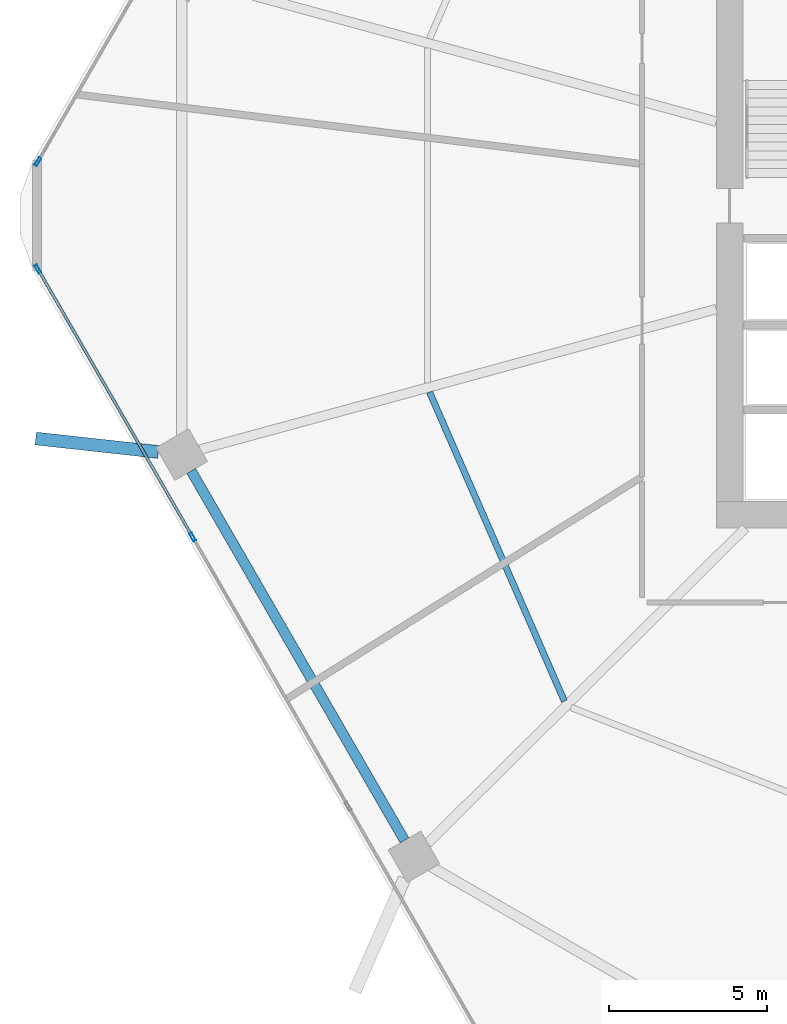
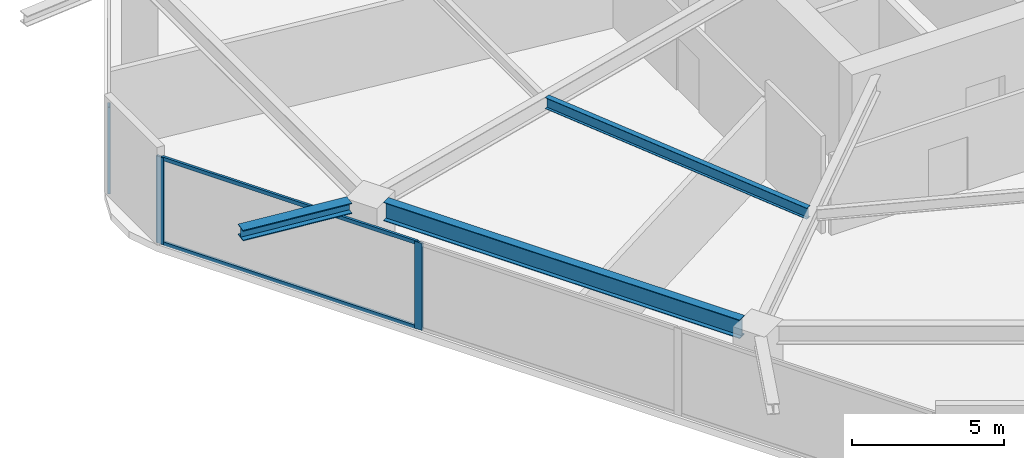
# One storey, part 5 of 25: 5 members, 3 beams, 2 elements without a shape of their own.
"""IFC4 building model written with IfcOpenShell, lengths in metres."""

import ifcopenshell
import ifcopenshell.guid

model = None  # the IFC model being written
_history = None  # IfcOwnerHistory: only IFC2X3 demands one
_inside = {}  # id of a spatial element -> (the spatial element, [elements in it])
_under = {}  # id of a project, library or spatial element -> (it, [spatial elements below it])
_declared = {}  # id of a project -> (the project, [libraries it declares])
_typed = {}  # id of a type object -> (the type object, [elements of that type])
_made_of = {}  # id of a material, layer set ... -> (it, [elements and type objects made of it])


def new_model(schema):
    """Start an empty IFC model of exactly this schema.

    Asked for "IFC4X3", IfcOpenShell would pick the latest addendum, in which some entities
    have other attributes; the version numbers below select the first issue.
    IFC2X3 requires an IfcOwnerHistory on every rooted entity: one is made here for all.
    """
    global model, _history
    if schema == "IFC4X3":
        model = ifcopenshell.file(schema_version=(4, 3, 0, 0))
    else:
        model = ifcopenshell.file(schema=schema)
    _inside.clear()
    _under.clear()
    _declared.clear()
    _typed.clear()
    _made_of.clear()
    _history = None
    if model.schema == "IFC2X3":
        org = make("IfcOrganization", Name="unknown")
        user = make(
            "IfcPersonAndOrganization",
            ThePerson=make("IfcPerson", FamilyName="unknown"),
            TheOrganization=org,
        )
        app = make(
            "IfcApplication",
            ApplicationDeveloper=org,
            Version="unknown",
            ApplicationFullName="unknown",
            ApplicationIdentifier="unknown",
        )
        _history = make(
            "IfcOwnerHistory",
            OwningUser=user,
            OwningApplication=app,
            ChangeAction="ADDED",
            CreationDate=0,
        )
    return model


def make(cls, **values):
    """One entity of the class cls with the attributes given. An attribute that is None is left unset."""
    return model.create_entity(
        cls, **{name: value for name, value in values.items() if value is not None}
    )


def rooted(cls, **values):
    """An entity with a GlobalId (a new one), such as an element, a storey or a relation."""
    return make(cls, GlobalId=ifcopenshell.guid.new(), OwnerHistory=_history, **values)


def si_unit(unit_type, name, prefix=None):
    """IfcSIUnit, for example si_unit("LENGTHUNIT", "METRE", prefix="MILLI")."""
    return make("IfcSIUnit", UnitType=unit_type, Prefix=prefix, Name=name)


def assignment(units):
    """IfcUnitAssignment: the units of a project."""
    return None if units is None else make("IfcUnitAssignment", Units=units)


def point(xyz):
    """IfcCartesianPoint."""
    return None if xyz is None else make("IfcCartesianPoint", Coordinates=xyz)


def direction(xyz):
    """IfcDirection."""
    return None if xyz is None else make("IfcDirection", DirectionRatios=xyz)


def frame(location, z_axis=None, x_axis=None):
    """IfcAxis2Placement3D, a coordinate frame: its origin and axes. An axis left out is left unset."""
    return make(
        "IfcAxis2Placement3D",
        Location=point(location),
        Axis=direction(z_axis),
        RefDirection=direction(x_axis),
    )


def frame_2d(location, x_axis=None):
    """IfcAxis2Placement2D, a coordinate frame in the plane: its origin and x axis."""
    return make(
        "IfcAxis2Placement2D", Location=point(location), RefDirection=direction(x_axis)
    )


def origin():
    """The frame at (0, 0, 0) with its axes left unset."""
    return frame((0.0, 0.0, 0.0))


def origin_2d():
    """The frame at (0, 0) in the plane with its x axis left unset."""
    return frame_2d((0.0, 0.0))


def place(relative_to, where):
    """IfcLocalPlacement: puts the frame where relative to a parent placement (None: the world)."""
    return make(
        "IfcLocalPlacement", PlacementRelTo=relative_to, RelativePlacement=where
    )


def context(
    kind, dimensions, precision=None, world=None, true_north=None, identifier=None
):
    """IfcGeometricRepresentationContext, for example the 3D "Model" context."""
    return make(
        "IfcGeometricRepresentationContext",
        ContextIdentifier=identifier,
        ContextType=kind,
        CoordinateSpaceDimension=dimensions,
        Precision=precision,
        WorldCoordinateSystem=world,
        TrueNorth=true_north,
    )


def subcontext(parent, identifier, kind, view, scale=None):
    """IfcGeometricRepresentationSubContext, for example "Body" below "Model"."""
    return make(
        "IfcGeometricRepresentationSubContext",
        ContextIdentifier=identifier,
        ContextType=kind,
        ParentContext=parent,
        TargetScale=scale,
        TargetView=view,
    )


def project(units=None, contexts=None):
    """IfcProject with its units and contexts."""
    return rooted(
        "IfcProject",
        Name="project",
        RepresentationContexts=contexts,
        UnitsInContext=assignment(units),
    )


def spatial(cls, under=None, at=None, **own):
    """A site, building, storey or space (cls), placed at a placement, below another one or the project."""
    s = rooted(cls, ObjectPlacement=at, **own)
    if under is not None:
        _under.setdefault(under.id(), (under, []))[1].append(s)
    return s


def profile(cls, at=None, kind="AREA", **sizes):
    """A parametric profile (cls). Its sizes go by their IFC names, for example OverallWidth=200.0."""
    return make(cls, ProfileType=kind, Position=at, **sizes)


def hollow_rectangle(**sizes):
    """IfcRectangleHollowProfileDef."""
    return profile("IfcRectangleHollowProfileDef", **sizes)


def i_section(**sizes):
    """IfcIShapeProfileDef."""
    return profile("IfcIShapeProfileDef", **sizes)


def extrude(swept, where, along, depth):
    """IfcExtrudedAreaSolid: the profile swept, set in the frame where, extruded along a direction by depth."""
    return make(
        "IfcExtrudedAreaSolid",
        SweptArea=swept,
        Position=where,
        ExtrudedDirection=direction(along),
        Depth=depth,
    )


def shape(context_of_items, identifier, shape_type, items):
    """IfcShapeRepresentation: the items that make up one representation, for example the "Body"."""
    return make(
        "IfcShapeRepresentation",
        ContextOfItems=context_of_items,
        RepresentationIdentifier=identifier,
        RepresentationType=shape_type,
        Items=items,
    )


def material(Name=None, Category=None):
    """IfcMaterial."""
    return make("IfcMaterial", Name=Name, Category=Category)


def material_profile(
    of_material, cross_section, Name=None, Category=None, Priority=None
):
    """IfcMaterialProfile: a cross section and its material."""
    return make(
        "IfcMaterialProfile",
        Name=Name,
        Material=of_material,
        Profile=cross_section,
        Priority=Priority,
        Category=Category,
    )


def profile_set(profiles, Name=None, composite=None):
    """IfcMaterialProfileSet."""
    return make(
        "IfcMaterialProfileSet",
        Name=Name,
        MaterialProfiles=profiles,
        CompositeProfile=composite,
    )


def made_of(thing, what):
    """Note that an element or type object is made of a material, layer set ...; save() writes the relation."""
    if what is not None:
        _made_of.setdefault(what.id(), (what, []))[1].append(thing)
    return thing


def type_object(cls, material=None, **own):
    """A type object (cls), such as IfcWallType, which elements share."""
    return made_of(rooted(cls, **own), material)


def element(
    cls,
    number,
    at=None,
    inside=None,
    cuts=None,
    type_object=None,
    material=None,
    context=None,
    identifier="Body",
    shape_type=None,
    held_by="IfcProductDefinitionShape",
    body=None,
    shapes=None,
    **own,
):
    """One element of the class cls, such as IfcWall. Its Tag is "e" and its number.

    at: its placement. inside: the storey or other place that contains it. cuts: it is an
    opening in that element (IfcRelVoidsElement). A single representation is given by context,
    identifier, shape_type and body (its items); several are given by shapes. held_by: the class
    of the entity that holds the representations. save() writes the other relations.
    """
    e = rooted(cls, Tag="e%d" % number, ObjectPlacement=at, **own)
    if body is not None:
        shapes = [shape(context, identifier, shape_type, body)]
    if shapes is not None:
        e.Representation = make(held_by, Representations=shapes)
    if inside is not None:
        _inside.setdefault(inside.id(), (inside, []))[1].append(e)
    if cuts is not None:
        rooted(
            "IfcRelVoidsElement", RelatingBuildingElement=cuts, RelatedOpeningElement=e
        )
    if type_object is not None:
        _typed.setdefault(type_object.id(), (type_object, []))[1].append(e)
    return made_of(e, material)


def aggregate(whole, parts):
    """IfcRelAggregates: a whole, such as a stair, and the parts it consists of."""
    return rooted("IfcRelAggregates", RelatingObject=whole, RelatedObjects=parts)


def save(model, path):
    """Write the relations noted so far, then the file.

    IfcRelAggregates (storeys below a building ...), IfcRelContainedInSpatialStructure (elements
    in a storey), IfcRelDefinesByType, IfcRelAssociatesMaterial and IfcRelDeclares: one each for
    every whole, place, type object, material and project.
    """
    for whole, parts in _under.values():
        aggregate(whole, parts)
    for where, things in _inside.values():
        rooted(
            "IfcRelContainedInSpatialStructure",
            RelatedElements=things,
            RelatingStructure=where,
        )
    for kind, things in _typed.values():
        rooted("IfcRelDefinesByType", RelatedObjects=things, RelatingType=kind)
    for what, things in _made_of.values():
        rooted("IfcRelAssociatesMaterial", RelatedObjects=things, RelatingMaterial=what)
    for by, libraries in _declared.values():
        rooted("IfcRelDeclares", RelatingContext=by, RelatedDefinitions=libraries)
    model.write(path)


model = new_model("IFC4")

# Units and contexts
model_context = context("Model", 3, precision=1e-05, world=origin(), true_north=direction((0.0, 1.0)))
body_context = subcontext(model_context, "Body", "Model", "MODEL_VIEW")
ifc_project = project(units=[si_unit("LENGTHUNIT", "METRE"), si_unit("AREAUNIT", "SQUARE_METRE"), si_unit("VOLUMEUNIT", "CUBIC_METRE"), si_unit("PLANEANGLEUNIT", "RADIAN"), si_unit("MASSUNIT", "GRAM", prefix="KILO")], contexts=[model_context])

# Site, building, storey
site_placement = place(None, origin())
site = spatial("IfcSite", under=ifc_project, at=site_placement, CompositionType="ELEMENT")
building_placement = place(site_placement, origin())
building = spatial("IfcBuilding", under=site, at=building_placement, Name="Zuhravey Tower", CompositionType="ELEMENT")
storey_placement = place(building_placement, frame((0.0, 0.0, 20.39990234375)))
storey = spatial("IfcBuildingStorey", under=building, at=storey_placement, Name="L05", CompositionType="ELEMENT", Elevation=20.39990234375)

# Curtain wall, members
ifc_material_1 = material(Name="Thermally broken anodised aluminium", Category="aluminium")
curtain_wall_type = type_object("IfcCurtainWallType", Name="School Low-E Unitised Curtain Wall CW1", PredefinedType="NOTDEFINED", material=ifc_material_1)
curtain_wall_1_placement = place(storey_placement, origin())
curtain_wall_1 = element("IfcCurtainWall", 1, at=curtain_wall_1_placement, inside=storey, type_object=curtain_wall_type, Name="L05 CW1 CW-L05-F4-1", PredefinedType="NOTDEFINED")
ifc_material_2 = material(Name="Anodised aluminium", Category="aluminium")
ifc_material_profile_1 = material_profile(ifc_material_2, hollow_rectangle(XDim=0.090087890625, YDim=0.284912109375, WallThickness=0.0048828125, at=origin_2d()), Name="ALU-RHS-90x285x5")
ifc_profile_set_1 = profile_set([ifc_material_profile_1], Name="Anodised aluminium")
member_type_1 = type_object("IfcMemberType", Name="Curtain-Wall Mullion 90x180", PredefinedType="MULLION", material=ifc_profile_set_1)
member_1_placement = place(storey_placement, frame((8.45458984375, 21.79296875, 0.0), z_axis=(0.0, 0.0, 1.0), x_axis=(-0.86602552265, -0.499999794119, 0.0)))
member_1 = element("IfcMember", 2, at=member_1_placement, type_object=member_type_1, Name="CW1 mullion 3", PredefinedType="MULLION", context=body_context, shape_type="SweptSolid", body=[
    extrude(hollow_rectangle(XDim=0.090087890625, YDim=0.284912109375, WallThickness=0.0048828125, at=origin_2d()), origin(), (0.0, 0.0, 1.0), 3.4921875),
])
member_2_placement = place(storey_placement, frame((3.5439453125, 30.298583984375, 0.0), z_axis=(0.0, 0.0, 1.0), x_axis=(-0.86602552265, -0.499999794119, 0.0)))
member_2 = element("IfcMember", 3, at=member_2_placement, type_object=member_type_1, Name="CW1 mullion 4", PredefinedType="MULLION", context=body_context, shape_type="SweptSolid", body=[
    extrude(hollow_rectangle(XDim=0.090087890625, YDim=0.284912109375, WallThickness=0.0048828125, at=origin_2d()), origin(), (0.0, 0.0, 1.0), 3.4921875),
])

# Curtain wall, member
curtain_wall_2_placement = place(storey_placement, origin())
curtain_wall_2 = element("IfcCurtainWall", 4, at=curtain_wall_2_placement, inside=storey, type_object=curtain_wall_type, Name="L05 CW1 CW-L05-F3-1", PredefinedType="NOTDEFINED")
member_3_placement = place(storey_placement, frame((3.5439453125, 33.701416015625, 0.0), z_axis=(0.0, 0.0, 1.0), x_axis=(-0.86602552265, 0.499999794119, 0.0)))
member_3 = element("IfcMember", 5, at=member_3_placement, type_object=member_type_1, Name="CW1 mullion 1", PredefinedType="MULLION", context=body_context, shape_type="SweptSolid", body=[
    extrude(hollow_rectangle(XDim=0.090087890625, YDim=0.284912109375, WallThickness=0.0048828125, at=origin_2d()), origin(), (0.0, 0.0, 1.0), 3.4921875),
])
aggregate(curtain_wall_2, [member_3])

# Member
ifc_material_profile_2 = material_profile(ifc_material_2, hollow_rectangle(XDim=0.090087890625, YDim=0.14990234375, WallThickness=0.0048828125, at=origin_2d()), Name="ALU-RHS-90x150x5")
ifc_profile_set_2 = profile_set([ifc_material_profile_2], Name="Anodised aluminium")
member_type_2 = type_object("IfcMemberType", Name="Curtain-Wall Transom 90x150", PredefinedType="USERDEFINED", material=ifc_profile_set_2)
member_4_placement = place(storey_placement, frame((8.43212890625, 21.83203125, 0.045166015625), z_axis=(-0.500008393077, 0.866020557985, 0.0), x_axis=(-0.866020557985, -0.500008393077, 0.0)))
member_4 = element("IfcMember", 6, at=member_4_placement, type_object=member_type_2, Name="CW1 transom 3.1", ObjectType="TRANSOM", PredefinedType="USERDEFINED", context=body_context, shape_type="SweptSolid", body=[
    extrude(hollow_rectangle(XDim=0.090087890625, YDim=0.14990234375, WallThickness=0.0048828125, at=origin_2d()), origin(), (0.0, 0.0, 1.0), 9.731201171875),
])

member_5_placement = place(storey_placement, frame((8.43212890625, 21.83203125, 3.447021484375), z_axis=(-0.500008393077, 0.866020557985, 0.0), x_axis=(-0.866020557985, -0.500008393077, 0.0)))
member_5 = element("IfcMember", 7, at=member_5_placement, type_object=member_type_2, Name="CW1 transom 3.2", ObjectType="TRANSOM", PredefinedType="USERDEFINED", context=body_context, shape_type="SweptSolid", body=[
    extrude(hollow_rectangle(XDim=0.090087890625, YDim=0.14990234375, WallThickness=0.0048828125, at=origin_2d()), origin(), (0.0, 0.0, 1.0), 9.731201171875),
])

aggregate(curtain_wall_1, [member_1, member_2, member_4, member_5])

# Beams
ifc_material_3 = material(Name="Steel SM460", Category="steel")
ifc_material_profile_3 = material_profile(ifc_material_3, i_section(OverallWidth=0.406982421875, OverallDepth=0.427978515625, WebThickness=0.02001953125, FlangeThickness=0.034912109375, at=origin_2d()), Name="H-428x407x20x35")
ifc_profile_set_3 = profile_set([ifc_material_profile_3], Name="Steel SM460")
beam_type_1 = type_object("IfcBeamType", Name="Exoskeleton Node Tie Beam H428x407", PredefinedType="BEAM", material=ifc_profile_set_3)
beam_1_placement = place(storey_placement, frame((7.3671875, 24.490234375, 3.7060546875), z_axis=(-0.994007881498, 0.109308423825, 0.0), x_axis=(-0.109308423825, -0.994007881498, 0.0)))
element("IfcBeam", 8, at=beam_1_placement, inside=storey, type_object=beam_type_1, Name="L05 Exoskeleton Node Tie NT1-07", PredefinedType="BEAM", context=body_context, shape_type="SweptSolid", body=[
    extrude(i_section(OverallWidth=0.406982421875, OverallDepth=0.427978515625, WebThickness=0.02001953125, FlangeThickness=0.034912109375, at=origin_2d()), origin(), (0.0, 0.0, 1.0), 3.9130859375),
])
ifc_material_4 = material(Name="Steel SM355", Category="steel")
ifc_material_profile_4 = material_profile(ifc_material_4, i_section(OverallWidth=0.320068359375, OverallDepth=0.75, WebThickness=0.013916015625, FlangeThickness=0.02490234375, at=origin_2d()), Name="H-750x320x14x25")
ifc_profile_set_4 = profile_set([ifc_material_profile_4], Name="Steel SM355")
beam_type_2 = type_object("IfcBeamType", Name="Perimeter Ring Beam H750x320", PredefinedType="BEAM", material=ifc_profile_set_4)
beam_2_placement = place(storey_placement, frame((8.412353515625, 23.88623046875, 3.545166015625), z_axis=(0.499999877243, -0.866025474658, 0.0), x_axis=(0.866025474658, 0.499999877243, 0.0)))
element("IfcBeam", 9, at=beam_2_placement, inside=storey, type_object=beam_type_2, Name="L05 PB1 BM-L05-PB-07", PredefinedType="BEAM", context=body_context, shape_type="SweptSolid", body=[
    extrude(i_section(OverallWidth=0.320068359375, OverallDepth=0.75, WebThickness=0.013916015625, FlangeThickness=0.02490234375, at=origin_2d()), origin(), (0.0, 0.0, 1.0), 13.5341796875),
])
ifc_material_profile_5 = material_profile(ifc_material_4, i_section(OverallWidth=0.199951171875, OverallDepth=0.449951171875, WebThickness=0.009033203125, FlangeThickness=0.013916015625, at=origin_2d()), Name="H-450x200x9x14")
ifc_profile_set_5 = profile_set([ifc_material_profile_5], Name="Steel SM355")
beam_type_3 = type_object("IfcBeamType", Name="Secondary Floor Joist H450x200", PredefinedType="JOIST", material=ifc_profile_set_5)
beam_3_placement = place(storey_placement, frame((15.974609375, 26.39111328125, 3.695068359375), z_axis=(0.399923551578, -0.916548500022, 0.0), x_axis=(0.916548500022, 0.399923551578, 0.0)))
element("IfcBeam", 10, at=beam_3_placement, inside=storey, type_object=beam_type_3, Name="L05 SJ1 BM-L05-SJ-07-1", PredefinedType="JOIST", context=body_context, shape_type="SweptSolid", body=[
    extrude(i_section(OverallWidth=0.199951171875, OverallDepth=0.449951171875, WebThickness=0.009033203125, FlangeThickness=0.013916015625, at=origin_2d()), origin(), (0.0, 0.0, 1.0), 10.70263671875),
])

save(model, "model.ifc")
